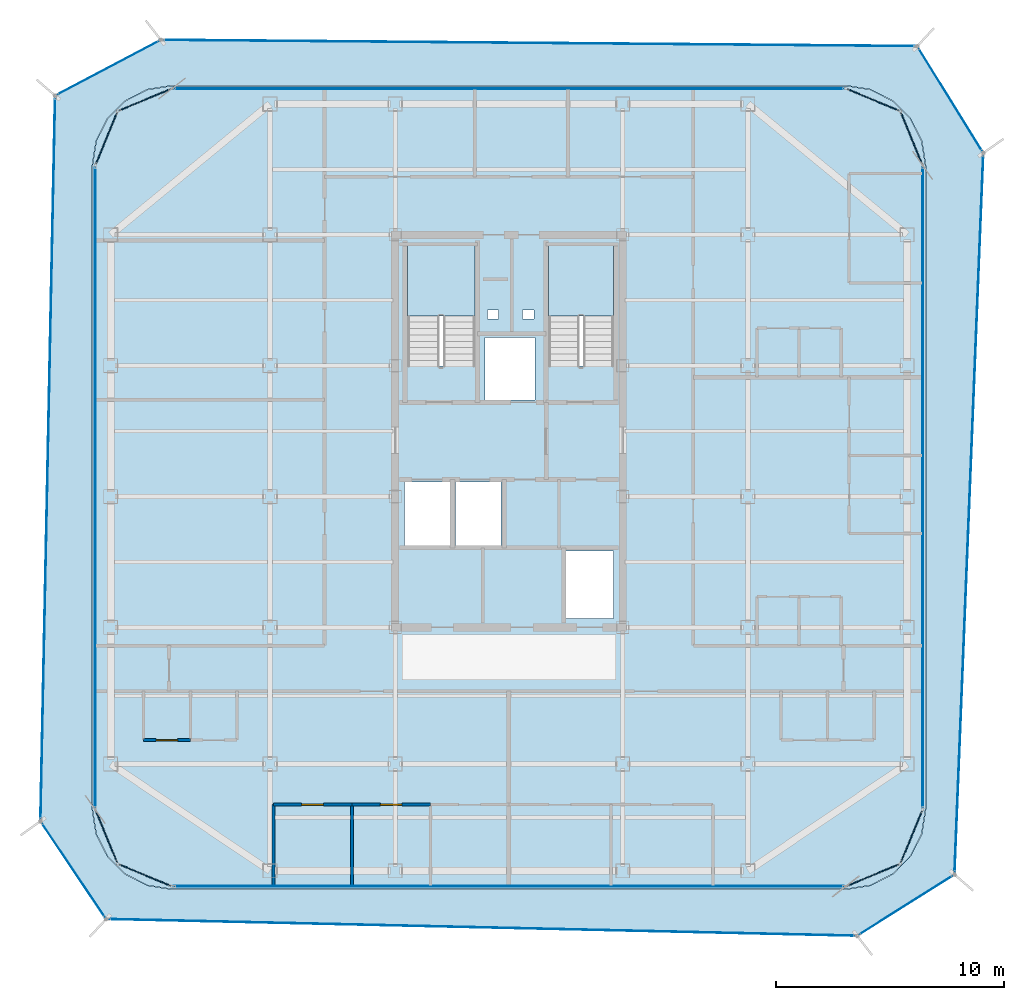
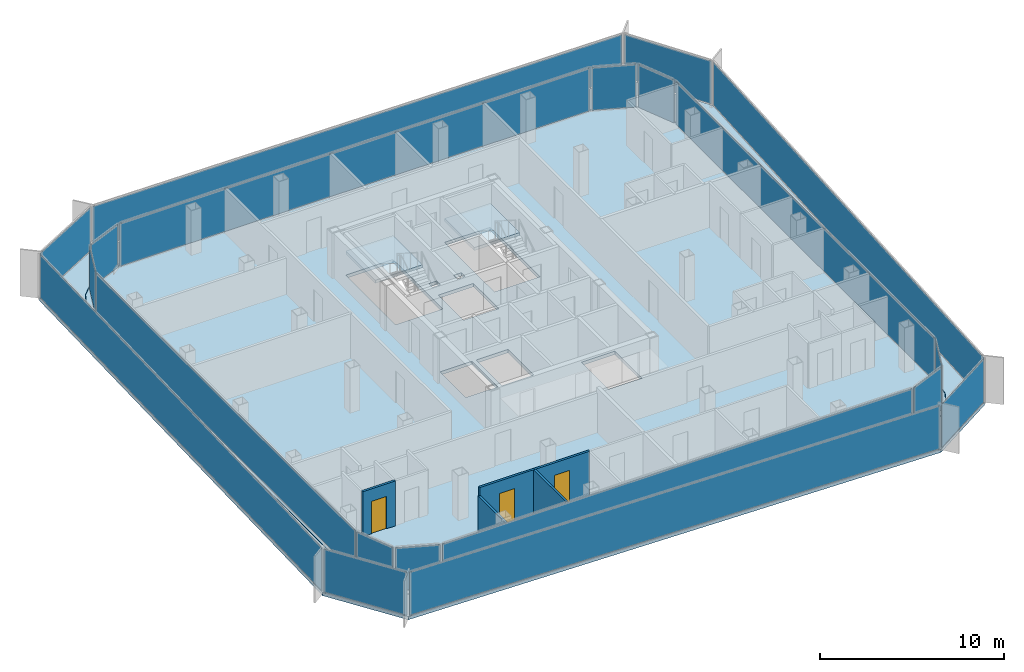
# One storey, part 9 of 15: 20 plates, 5 walls, 4 slabs, 3 doors, 3 openings, 22 elements without a shape of their own.
"""IFC4 building model written with IfcOpenShell, lengths in metres."""

from ifc_helpers import new_model, si_unit, direction, frame, frame_2d, origin, origin_2d, place, context, subcontext, project, spatial, polyline, rectangle, outline, extrude, source, transform, mapped, material, layer, layer_set, type_object, element, fill, aggregate, save


model = new_model("IFC4")

# Units and contexts
model_context = context("Model", 3, precision=1e-05, world=origin(), true_north=direction((0.0, 1.0)))
body_context = subcontext(model_context, "Body", "Model", "MODEL_VIEW")
ifc_project = project(units=[si_unit("LENGTHUNIT", "METRE"), si_unit("AREAUNIT", "SQUARE_METRE"), si_unit("VOLUMEUNIT", "CUBIC_METRE"), si_unit("PLANEANGLEUNIT", "RADIAN"), si_unit("MASSUNIT", "GRAM", prefix="KILO")], contexts=[model_context])

# Site, building, storey
site_placement = place(None, origin())
site = spatial("IfcSite", under=ifc_project, at=site_placement, CompositionType="ELEMENT")
building_placement = place(site_placement, origin())
building = spatial("IfcBuilding", under=site, at=building_placement, Name="Kolveth Station Tower", CompositionType="ELEMENT")
storey_placement = place(building_placement, frame((0.0, 0.0, 239.300048828125)))
storey = spatial("IfcBuildingStorey", under=building, at=storey_placement, Name="L68", CompositionType="ELEMENT", Elevation=239.300048828125)

# Slab
ifc_material_1 = material(Name="Concrete C40/50", Category="concrete")
ifc_layer_1 = layer(ifc_material_1, 0.219970703125)
ifc_layer_set_1 = layer_set([ifc_layer_1], Name="Concrete C40/50")
slab_type_1 = type_object("IfcSlabType", Name="Slab_SF-220", PredefinedType="FLOOR", material=ifc_layer_set_1)
slab_1_placement = place(storey_placement, frame((0.0, 0.0, -0.219970703125)))
element("IfcSlab", 1, at=slab_1_placement, inside=storey, type_object=slab_type_1, Name="L68 Tower Structural Floor Slab", PredefinedType="FLOOR", context=body_context, shape_type="SweptSolid", body=[
    extrude(outline(polyline([(38.300048828125, 0.0), (39.381591796875, 0.17138671875), (40.357177734375, 0.66845703125), (41.131591796875, 1.44287109375), (41.628662109375, 2.41845703125), (41.800048828125, 3.5), (41.800048828125, 31.800048828125), (41.628662109375, 32.881591796875), (41.131591796875, 33.857177734375), (40.357177734375, 34.631591796875), (39.381591796875, 35.128662109375), (38.300048828125, 35.300048828125), (8.699951171875, 35.300048828125), (7.618408203125, 35.128662109375), (6.642822265625, 34.631591796875), (5.868408203125, 33.857177734375), (5.371337890625, 32.881591796875), (5.199951171875, 31.800048828125), (5.199951171875, 3.5), (5.371337890625, 2.41845703125), (5.868408203125, 1.44287109375), (6.642822265625, 0.66845703125), (7.618408203125, 0.17138671875), (8.699951171875, 0.0), (38.300048828125, 0.0)]), holes=[polyline([(19.0400390625, 22.985107421875), (22.0, 22.985107421875), (22.0, 28.39990234375), (19.0400390625, 28.39990234375), (19.0400390625, 22.985107421875)]), polyline([(25.239990234375, 22.985107421875), (28.10009765625, 22.985107421875), (28.10009765625, 28.39990234375), (25.239990234375, 28.39990234375), (25.239990234375, 22.985107421875)]), polyline([(18.89990234375, 15.10009765625), (20.89990234375, 15.10009765625), (20.89990234375, 17.89990234375), (18.89990234375, 17.89990234375), (18.89990234375, 15.10009765625)]), polyline([(21.14990234375, 15.10009765625), (23.14990234375, 15.10009765625), (23.14990234375, 17.89990234375), (21.14990234375, 17.89990234375), (21.14990234375, 15.10009765625)]), polyline([(22.449951171875, 21.5), (24.64990234375, 21.5), (24.64990234375, 24.25), (22.449951171875, 24.25), (22.449951171875, 21.5)]), polyline([(26.0, 11.89990234375), (28.10009765625, 11.89990234375), (28.10009765625, 14.85009765625), (26.0, 14.85009765625), (26.0, 11.89990234375)]), polyline([(22.550048828125, 25.050048828125), (23.050048828125, 25.050048828125), (23.050048828125, 25.449951171875), (22.550048828125, 25.449951171875), (22.550048828125, 25.050048828125)]), polyline([(24.10009765625, 25.050048828125), (24.60009765625, 25.050048828125), (24.60009765625, 25.449951171875), (24.10009765625, 25.449951171875), (24.10009765625, 25.050048828125)])]), origin(), (0.0, 0.0, 1.0), 0.219970703125),
])

# Stair, slab
stair_type_1 = type_object("IfcStairType", Name="Stair_ST2", PredefinedType="HALF_TURN_STAIR", material=ifc_material_1)
stair_1_placement = place(storey_placement, origin())
stair_1 = element("IfcStair", 2, at=stair_1_placement, inside=storey, type_object=stair_type_1, Name="L68 Tower Exit Stair ST2", PredefinedType="HALF_TURN_STAIR")
ifc_layer_2 = layer(ifc_material_1, 0.18994140625)
ifc_layer_set_2 = layer_set([ifc_layer_2], Name="Concrete C40/50")
slab_type_2 = type_object("IfcSlabType", Name="Slab_SL-190", PredefinedType="LANDING", material=ifc_layer_set_2)
slab_2_placement = place(storey_placement, frame((0.0, 0.0, 1.39990234375)))
slab_2 = element("IfcSlab", 3, at=slab_2_placement, type_object=slab_type_2, Name="ST2 landing 1", PredefinedType="LANDING", context=body_context, shape_type="SweptSolid", body=[
    extrude(outline(polyline([(28.10009765625, 25.18994140625), (28.10009765625, 28.39990234375), (25.239990234375, 28.39990234375), (25.239990234375, 25.18994140625), (28.10009765625, 25.18994140625)])), origin(), (0.0, 0.0, 1.0), 0.199951171875),
])
aggregate(stair_1, [slab_2])

stair_type_2 = type_object("IfcStairType", Name="Stair_ST1", PredefinedType="HALF_TURN_STAIR", material=ifc_material_1)
stair_2_placement = place(storey_placement, origin())
stair_2 = element("IfcStair", 4, at=stair_2_placement, inside=storey, type_object=stair_type_2, Name="L68 Tower Exit Stair ST1", PredefinedType="HALF_TURN_STAIR")
ifc_layer_3 = layer(ifc_material_1, 0.205078125)
ifc_layer_set_3 = layer_set([ifc_layer_3], Name="Concrete C40/50")
slab_type_3 = type_object("IfcSlabType", Name="Slab_SL-205", PredefinedType="LANDING", material=ifc_layer_set_3)
slab_3_placement = place(storey_placement, frame((0.0, 0.0, 1.39990234375)))
slab_3 = element("IfcSlab", 5, at=slab_3_placement, type_object=slab_type_3, Name="ST1 landing 1", PredefinedType="LANDING", context=body_context, shape_type="SweptSolid", body=[
    extrude(outline(polyline([(22.0, 25.18994140625), (22.0, 28.39990234375), (19.0400390625, 28.39990234375), (19.0400390625, 25.18994140625), (22.0, 25.18994140625)])), origin(), (0.0, 0.0, 1.0), 0.199951171875),
])
aggregate(stair_2, [slab_3])

# Slab
ifc_layer_4 = layer(ifc_material_1, 0.2099609375)
ifc_layer_set_4 = layer_set([ifc_layer_4], Name="Concrete C40/50")
slab_type_4 = type_object("IfcSlabType", Name="Slab_ST-210", PredefinedType="FLOOR", material=ifc_layer_set_4)
slab_4_placement = place(storey_placement, frame((0.0, 0.0, -0.2099609375)))
element("IfcSlab", 6, at=slab_4_placement, inside=storey, type_object=slab_type_4, Name="L68 Double-Skin Cavity Structural Ledger Ring", PredefinedType="FLOOR", context=body_context, shape_type="SweptSolid", body=[
    extrude(outline(polyline([(5.802734375, -1.3154296875), (2.916748046875, 2.986572265625), (3.560791015625, 34.864501953125), (8.205322265625, 37.314208984375), (41.43994140625, 37.039794921875), (44.34814453125, 32.34619140625), (43.079345703125, 0.6416015625), (38.79931640625, -2.052001953125), (5.802734375, -1.3154296875)]), holes=[polyline([(38.30224609375, -0.014892578125), (39.3837890625, 0.156494140625), (39.388427734375, 0.157958984375), (40.364013671875, 0.655029296875), (40.367919921875, 0.65771484375), (41.14208984375, 1.43212890625), (41.14501953125, 1.43603515625), (41.64208984375, 2.41162109375), (41.6435546875, 2.416015625), (41.814697265625, 3.497802734375), (41.81494140625, 3.5), (41.81494140625, 31.800048828125), (41.814697265625, 31.80224609375), (41.6435546875, 32.8837890625), (41.64208984375, 32.888427734375), (41.14501953125, 33.864013671875), (41.14208984375, 33.867919921875), (40.367919921875, 34.64208984375), (40.364013671875, 34.64501953125), (39.388427734375, 35.14208984375), (39.3837890625, 35.1435546875), (38.30224609375, 35.314697265625), (38.300048828125, 35.31494140625), (8.699951171875, 35.31494140625), (8.69775390625, 35.314697265625), (7.6162109375, 35.1435546875), (7.611572265625, 35.14208984375), (6.635986328125, 34.64501953125), (6.632080078125, 34.64208984375), (5.85791015625, 33.867919921875), (5.85498046875, 33.864013671875), (5.35791015625, 32.888427734375), (5.3564453125, 32.8837890625), (5.185302734375, 31.80224609375), (5.18505859375, 31.800048828125), (5.18505859375, 3.5), (5.185302734375, 3.497802734375), (5.3564453125, 2.416015625), (5.35791015625, 2.41162109375), (5.85498046875, 1.43603515625), (5.85791015625, 1.43212890625), (6.632080078125, 0.65771484375), (6.635986328125, 0.655029296875), (7.611572265625, 0.157958984375), (7.6162109375, 0.156494140625), (8.69775390625, -0.014892578125), (8.699951171875, -0.014892578125), (38.300048828125, -0.014892578125), (38.30224609375, -0.014892578125)])]), origin(), (0.0, 0.0, 1.0), 0.2099609375),
])

# Curtain wall, plate
ifc_material_2 = material(Name="Aluminium 6063-T6 and triple low-E dark glass", Category="aluminium")
ifc_layer_5 = layer(ifc_material_2, 0.199951171875)
ifc_layer_set_5 = layer_set([ifc_layer_5], Name="Aluminium 6063-T6 and triple low-E dark glass")
curtain_wall_type_1 = type_object("IfcCurtainWallType", Name="CurtainWall_CW-Z3", PredefinedType="NOTDEFINED", material=ifc_layer_set_5)
curtain_wall_1_placement = place(storey_placement, origin())
curtain_wall_1 = element("IfcCurtainWall", 7, at=curtain_wall_1_placement, inside=storey, type_object=curtain_wall_type_1, Name="L68 Inner Thermal Curtain Wall 1", PredefinedType="NOTDEFINED")
ifc_material_3 = material(Name="Architectural low-E dark glass", Category="glass")
ifc_layer_6 = layer(ifc_material_3, 0.0419921875)
ifc_layer_set_6 = layer_set([ifc_layer_6], Name="Architectural low-E dark glass")
plate_type_1 = type_object("IfcPlateType", Name="Panel_GL3", PredefinedType="CURTAIN_PANEL", material=ifc_layer_set_6)
shared_shape_1 = source(origin(), body_context, "Body", "SweptSolid", [
    extrude(rectangle(XDim=2.430908203125, YDim=0.0419921875, at=origin_2d()), origin(), (0.0, 0.0, 1.0), 2.823974609375),
])
plate_1_placement = place(storey_placement, frame((39.4951171875, 0.614990234375, 0.078125), z_axis=(0.0, 0.0, 1.0), x_axis=(0.923875488975, 0.382693194181, 0.0)))
plate_1 = element("IfcPlate", 8, at=plate_1_placement, type_object=plate_type_1, Name="CW-Z3 panel 1.1", PredefinedType="CURTAIN_PANEL", context=body_context, shape_type="MappedRepresentation", body=[
    mapped(shared_shape_1, transform((0.0, 0.0, 0.0), x_axis=(1.0, 0.0, 0.0), y_axis=(0.0, 1.0, 0.0), z_axis=(0.0, 0.0, 1.0), scale=1.0)),
])
aggregate(curtain_wall_1, [plate_1])

curtain_wall_2_placement = place(storey_placement, origin())
curtain_wall_2 = element("IfcCurtainWall", 9, at=curtain_wall_2_placement, inside=storey, type_object=curtain_wall_type_1, Name="L68 Inner Thermal Curtain Wall 2", PredefinedType="NOTDEFINED")
plate_2_placement = place(storey_placement, frame((41.18505859375, 2.304931640625, 0.078125), z_axis=(0.0, 0.0, 1.0), x_axis=(0.382693194181, 0.923875488975, 0.0)))
plate_2 = element("IfcPlate", 10, at=plate_2_placement, type_object=plate_type_1, Name="CW-Z3 panel 1.1", PredefinedType="CURTAIN_PANEL", context=body_context, shape_type="MappedRepresentation", body=[
    mapped(shared_shape_1, transform((0.0, 0.0, 0.0), x_axis=(1.0, 0.0, 0.0), y_axis=(0.0, 1.0, 0.0), z_axis=(0.0, 0.0, 1.0), scale=1.0)),
])
aggregate(curtain_wall_2, [plate_2])

curtain_wall_3_placement = place(storey_placement, origin())
curtain_wall_3 = element("IfcCurtainWall", 11, at=curtain_wall_3_placement, inside=storey, type_object=curtain_wall_type_1, Name="L68 Inner Thermal Curtain Wall 4", PredefinedType="NOTDEFINED")
plate_3_placement = place(storey_placement, frame((41.18505859375, 32.9951171875, 0.078125), z_axis=(0.0, 0.0, 1.0), x_axis=(-0.382693194181, 0.923875488975, 0.0)))
plate_3 = element("IfcPlate", 12, at=plate_3_placement, type_object=plate_type_1, Name="CW-Z3 panel 1.1", PredefinedType="CURTAIN_PANEL", context=body_context, shape_type="MappedRepresentation", body=[
    mapped(shared_shape_1, transform((0.0, 0.0, 0.0), x_axis=(1.0, 0.0, 0.0), y_axis=(0.0, 1.0, 0.0), z_axis=(0.0, 0.0, 1.0), scale=1.0)),
])
aggregate(curtain_wall_3, [plate_3])

curtain_wall_4_placement = place(storey_placement, origin())
curtain_wall_4 = element("IfcCurtainWall", 13, at=curtain_wall_4_placement, inside=storey, type_object=curtain_wall_type_1, Name="L68 Inner Thermal Curtain Wall 5", PredefinedType="NOTDEFINED")
plate_4_placement = place(storey_placement, frame((39.4951171875, 34.68505859375, 0.078125), z_axis=(0.0, 0.0, 1.0), x_axis=(-0.923875488975, 0.382693194181, 0.0)))
plate_4 = element("IfcPlate", 14, at=plate_4_placement, type_object=plate_type_1, Name="CW-Z3 panel 1.1", PredefinedType="CURTAIN_PANEL", context=body_context, shape_type="MappedRepresentation", body=[
    mapped(shared_shape_1, transform((0.0, 0.0, 0.0), x_axis=(1.0, 0.0, 0.0), y_axis=(0.0, 1.0, 0.0), z_axis=(0.0, 0.0, 1.0), scale=1.0)),
])
aggregate(curtain_wall_4, [plate_4])

curtain_wall_5_placement = place(storey_placement, origin())
curtain_wall_5 = element("IfcCurtainWall", 15, at=curtain_wall_5_placement, inside=storey, type_object=curtain_wall_type_1, Name="L68 Inner Thermal Curtain Wall 7", PredefinedType="NOTDEFINED")
plate_5_placement = place(storey_placement, frame((7.5048828125, 34.68505859375, 0.078125), z_axis=(0.0, 0.0, 1.0), x_axis=(-0.923875488975, -0.382693194181, 0.0)))
plate_5 = element("IfcPlate", 16, at=plate_5_placement, type_object=plate_type_1, Name="CW-Z3 panel 1.1", PredefinedType="CURTAIN_PANEL", context=body_context, shape_type="MappedRepresentation", body=[
    mapped(shared_shape_1, transform((0.0, 0.0, 0.0), x_axis=(1.0, 0.0, 0.0), y_axis=(0.0, 1.0, 0.0), z_axis=(0.0, 0.0, 1.0), scale=1.0)),
])
aggregate(curtain_wall_5, [plate_5])

curtain_wall_6_placement = place(storey_placement, origin())
curtain_wall_6 = element("IfcCurtainWall", 17, at=curtain_wall_6_placement, inside=storey, type_object=curtain_wall_type_1, Name="L68 Inner Thermal Curtain Wall 8", PredefinedType="NOTDEFINED")
plate_6_placement = place(storey_placement, frame((5.81494140625, 32.9951171875, 0.078125), z_axis=(0.0, 0.0, 1.0), x_axis=(-0.382693194181, -0.923875488975, 0.0)))
plate_6 = element("IfcPlate", 18, at=plate_6_placement, type_object=plate_type_1, Name="CW-Z3 panel 1.1", PredefinedType="CURTAIN_PANEL", context=body_context, shape_type="MappedRepresentation", body=[
    mapped(shared_shape_1, transform((0.0, 0.0, 0.0), x_axis=(1.0, 0.0, 0.0), y_axis=(0.0, 1.0, 0.0), z_axis=(0.0, 0.0, 1.0), scale=1.0)),
])
aggregate(curtain_wall_6, [plate_6])

curtain_wall_7_placement = place(storey_placement, origin())
curtain_wall_7 = element("IfcCurtainWall", 19, at=curtain_wall_7_placement, inside=storey, type_object=curtain_wall_type_1, Name="L68 Inner Thermal Curtain Wall 10", PredefinedType="NOTDEFINED")
plate_7_placement = place(storey_placement, frame((5.81494140625, 2.304931640625, 0.078125), z_axis=(0.0, 0.0, 1.0), x_axis=(0.382693194181, -0.923875488975, 0.0)))
plate_7 = element("IfcPlate", 20, at=plate_7_placement, type_object=plate_type_1, Name="CW-Z3 panel 1.1", PredefinedType="CURTAIN_PANEL", context=body_context, shape_type="MappedRepresentation", body=[
    mapped(shared_shape_1, transform((0.0, 0.0, 0.0), x_axis=(1.0, 0.0, 0.0), y_axis=(0.0, 1.0, 0.0), z_axis=(0.0, 0.0, 1.0), scale=1.0)),
])
aggregate(curtain_wall_7, [plate_7])

curtain_wall_8_placement = place(storey_placement, origin())
curtain_wall_8 = element("IfcCurtainWall", 21, at=curtain_wall_8_placement, inside=storey, type_object=curtain_wall_type_1, Name="L68 Inner Thermal Curtain Wall 11", PredefinedType="NOTDEFINED")
plate_8_placement = place(storey_placement, frame((7.5048828125, 0.614990234375, 0.078125), z_axis=(0.0, 0.0, 1.0), x_axis=(0.923875488975, -0.382693194181, 0.0)))
plate_8 = element("IfcPlate", 22, at=plate_8_placement, type_object=plate_type_1, Name="CW-Z3 panel 1.1", PredefinedType="CURTAIN_PANEL", context=body_context, shape_type="MappedRepresentation", body=[
    mapped(shared_shape_1, transform((0.0, 0.0, 0.0), x_axis=(1.0, 0.0, 0.0), y_axis=(0.0, 1.0, 0.0), z_axis=(0.0, 0.0, 1.0), scale=1.0)),
])
aggregate(curtain_wall_8, [plate_8])

curtain_wall_9_placement = place(storey_placement, origin())
curtain_wall_9 = element("IfcCurtainWall", 23, at=curtain_wall_9_placement, inside=storey, type_object=curtain_wall_type_1, Name="L68 Inner Thermal Curtain Wall 3", PredefinedType="NOTDEFINED")
shared_shape_2 = source(origin(), body_context, "Body", "SweptSolid", [
    extrude(rectangle(XDim=28.14404296875, YDim=0.0419921875, at=origin_2d()), origin(), (0.0, 0.0, 1.0), 2.823974609375),
])
plate_9_placement = place(storey_placement, frame((41.679931640625, 17.64990234375, 0.078125), z_axis=(0.0, 0.0, 1.0), x_axis=(0.0, 1.0, 0.0)))
plate_9 = element("IfcPlate", 24, at=plate_9_placement, type_object=plate_type_1, Name="CW-Z3 panel 1.1", PredefinedType="CURTAIN_PANEL", context=body_context, shape_type="MappedRepresentation", body=[
    mapped(shared_shape_2, transform((0.0, 0.0, 0.0), x_axis=(1.0, 0.0, 0.0), y_axis=(0.0, 1.0, 0.0), z_axis=(0.0, 0.0, 1.0), scale=1.0)),
])
aggregate(curtain_wall_9, [plate_9])

curtain_wall_10_placement = place(storey_placement, origin())
curtain_wall_10 = element("IfcCurtainWall", 25, at=curtain_wall_10_placement, inside=storey, type_object=curtain_wall_type_1, Name="L68 Inner Thermal Curtain Wall 9", PredefinedType="NOTDEFINED")
plate_10_placement = place(storey_placement, frame((5.320068359375, 17.64990234375, 0.078125), z_axis=(0.0, 0.0, 1.0), x_axis=(0.0, -1.0, 0.0)))
plate_10 = element("IfcPlate", 26, at=plate_10_placement, type_object=plate_type_1, Name="CW-Z3 panel 1.1", PredefinedType="CURTAIN_PANEL", context=body_context, shape_type="MappedRepresentation", body=[
    mapped(shared_shape_2, transform((0.0, 0.0, 0.0), x_axis=(1.0, 0.0, 0.0), y_axis=(0.0, 1.0, 0.0), z_axis=(0.0, 0.0, 1.0), scale=1.0)),
])
aggregate(curtain_wall_10, [plate_10])

curtain_wall_11_placement = place(storey_placement, origin())
curtain_wall_11 = element("IfcCurtainWall", 27, at=curtain_wall_11_placement, inside=storey, type_object=curtain_wall_type_1, Name="L68 Inner Thermal Curtain Wall 6", PredefinedType="NOTDEFINED")
shared_shape_3 = source(origin(), body_context, "Body", "SweptSolid", [
    extrude(rectangle(XDim=29.444091796875, YDim=0.0419921875, at=origin_2d()), origin(), (0.0, 0.0, 1.0), 2.823974609375),
])
plate_11_placement = place(storey_placement, frame((23.5, 35.179931640625, 0.078125), z_axis=(0.0, 0.0, 1.0), x_axis=(-1.0, 0.0, 0.0)))
plate_11 = element("IfcPlate", 28, at=plate_11_placement, type_object=plate_type_1, Name="CW-Z3 panel 1.1", PredefinedType="CURTAIN_PANEL", context=body_context, shape_type="MappedRepresentation", body=[
    mapped(shared_shape_3, transform((0.0, 0.0, 0.0), x_axis=(1.0, 0.0, 0.0), y_axis=(0.0, 1.0, 0.0), z_axis=(0.0, 0.0, 1.0), scale=1.0)),
])
aggregate(curtain_wall_11, [plate_11])

curtain_wall_12_placement = place(storey_placement, origin())
curtain_wall_12 = element("IfcCurtainWall", 29, at=curtain_wall_12_placement, inside=storey, type_object=curtain_wall_type_1, Name="L68 Inner Thermal Curtain Wall 12", PredefinedType="NOTDEFINED")
plate_12_placement = place(storey_placement, frame((23.5, 0.1201171875, 0.078125), z_axis=(0.0, 0.0, 1.0), x_axis=(1.0, 0.0, 0.0)))
plate_12 = element("IfcPlate", 30, at=plate_12_placement, type_object=plate_type_1, Name="CW-Z3 panel 1.1", PredefinedType="CURTAIN_PANEL", context=body_context, shape_type="MappedRepresentation", body=[
    mapped(shared_shape_3, transform((0.0, 0.0, 0.0), x_axis=(1.0, 0.0, 0.0), y_axis=(0.0, 1.0, 0.0), z_axis=(0.0, 0.0, 1.0), scale=1.0)),
])
aggregate(curtain_wall_12, [plate_12])

ifc_material_4 = material(Name="Black anodized aluminium 6063-T6 and dark solar glass", Category="aluminium")
ifc_layer_7 = layer(ifc_material_4, 0.159912109375)
ifc_layer_set_7 = layer_set([ifc_layer_7], Name="Black anodized aluminium 6063-T6 and dark solar glass")
curtain_wall_type_2 = type_object("IfcCurtainWallType", Name="OUTER SKIN CW-OS", PredefinedType="NOTDEFINED", material=ifc_layer_set_7)
curtain_wall_13_placement = place(storey_placement, origin())
curtain_wall_13 = element("IfcCurtainWall", 31, at=curtain_wall_13_placement, inside=storey, type_object=curtain_wall_type_2, Name="L68 Outer Ventilated Skin Curtain Wall 1", PredefinedType="NOTDEFINED")
ifc_layer_8 = layer(ifc_material_3, 0.028076171875)
ifc_layer_set_8 = layer_set([ifc_layer_8], Name="Architectural low-E dark glass")
plate_type_2 = type_object("IfcPlateType", Name="Panel_GL-OS", PredefinedType="CURTAIN_PANEL", material=ifc_layer_set_8)
shared_shape_4 = source(origin(), body_context, "Body", "SweptSolid", [
    extrude(rectangle(XDim=4.89111328125, YDim=0.028076171875, at=origin_2d()), origin(), (0.0, 0.0, 1.0), 2.843994140625),
])
plate_13_placement = place(storey_placement, frame((40.939453125, -0.705078125, 0.07275390625), z_axis=(0.0, 0.0, 1.0), x_axis=(0.846341134631, 0.532641233695, 0.0)))
plate_13 = element("IfcPlate", 32, at=plate_13_placement, type_object=plate_type_2, Name="CW-OS panel 1.1", PredefinedType="CURTAIN_PANEL", context=body_context, shape_type="MappedRepresentation", body=[
    mapped(shared_shape_4, transform((0.0, 0.0, 0.0), x_axis=(1.0, 0.0, 0.0), y_axis=(0.0, 1.0, 0.0), z_axis=(0.0, 0.0, 1.0), scale=1.0)),
])
aggregate(curtain_wall_13, [plate_13])

curtain_wall_14_placement = place(storey_placement, origin())
curtain_wall_14 = element("IfcCurtainWall", 33, at=curtain_wall_14_placement, inside=storey, type_object=curtain_wall_type_2, Name="L68 Outer Ventilated Skin Curtain Wall 2", PredefinedType="NOTDEFINED")
shared_shape_5 = source(origin(), body_context, "Body", "SweptSolid", [
    extrude(rectangle(XDim=31.564208984375, YDim=0.028076171875, at=origin_2d()), origin(), (0.0, 0.0, 1.0), 2.843994140625),
])
plate_14_placement = place(storey_placement, frame((43.7138671875, 16.493896484375, 0.07275390625), z_axis=(0.0, 0.0, 1.0), x_axis=(0.039987295223, 0.999200188261, 0.0)))
plate_14 = element("IfcPlate", 34, at=plate_14_placement, type_object=plate_type_2, Name="CW-OS panel 1.1", PredefinedType="CURTAIN_PANEL", context=body_context, shape_type="MappedRepresentation", body=[
    mapped(shared_shape_5, transform((0.0, 0.0, 0.0), x_axis=(1.0, 0.0, 0.0), y_axis=(0.0, 1.0, 0.0), z_axis=(0.0, 0.0, 1.0), scale=1.0)),
])
aggregate(curtain_wall_14, [plate_14])

curtain_wall_15_placement = place(storey_placement, origin())
curtain_wall_15 = element("IfcCurtainWall", 35, at=curtain_wall_15_placement, inside=storey, type_object=curtain_wall_type_2, Name="L68 Outer Ventilated Skin Curtain Wall 3", PredefinedType="NOTDEFINED")
shared_shape_6 = source(origin(), body_context, "Body", "SweptSolid", [
    extrude(rectangle(XDim=5.35546875, YDim=0.028076171875, at=origin_2d()), origin(), (0.0, 0.0, 1.0), 2.843994140625),
])
plate_15_placement = place(storey_placement, frame((42.89404296875, 34.693115234375, 0.07275390625), z_axis=(0.0, 0.0, 1.0), x_axis=(-0.526716201506, 0.850041200808, 0.0)))
plate_15 = element("IfcPlate", 36, at=plate_15_placement, type_object=plate_type_2, Name="CW-OS panel 1.1", PredefinedType="CURTAIN_PANEL", context=body_context, shape_type="MappedRepresentation", body=[
    mapped(shared_shape_6, transform((0.0, 0.0, 0.0), x_axis=(1.0, 0.0, 0.0), y_axis=(0.0, 1.0, 0.0), z_axis=(0.0, 0.0, 1.0), scale=1.0)),
])
aggregate(curtain_wall_15, [plate_15])

curtain_wall_16_placement = place(storey_placement, origin())
curtain_wall_16 = element("IfcCurtainWall", 37, at=curtain_wall_16_placement, inside=storey, type_object=curtain_wall_type_2, Name="L68 Outer Ventilated Skin Curtain Wall 4", PredefinedType="NOTDEFINED")
shared_shape_7 = source(origin(), body_context, "Body", "SweptSolid", [
    extrude(rectangle(XDim=33.06982421875, YDim=0.028076171875, at=origin_2d()), origin(), (0.0, 0.0, 1.0), 2.843994140625),
])
plate_16_placement = place(storey_placement, frame((24.82275390625, 37.177001953125, 0.07275390625), z_axis=(0.0, 0.0, 1.0), x_axis=(-0.999965867719, 0.008262166568, 0.0)))
plate_16 = element("IfcPlate", 38, at=plate_16_placement, type_object=plate_type_2, Name="CW-OS panel 1.1", PredefinedType="CURTAIN_PANEL", context=body_context, shape_type="MappedRepresentation", body=[
    mapped(shared_shape_7, transform((0.0, 0.0, 0.0), x_axis=(1.0, 0.0, 0.0), y_axis=(0.0, 1.0, 0.0), z_axis=(0.0, 0.0, 1.0), scale=1.0)),
])
aggregate(curtain_wall_16, [plate_16])

curtain_wall_17_placement = place(storey_placement, origin())
curtain_wall_17 = element("IfcCurtainWall", 39, at=curtain_wall_17_placement, inside=storey, type_object=curtain_wall_type_2, Name="L68 Outer Ventilated Skin Curtain Wall 5", PredefinedType="NOTDEFINED")
shared_shape_8 = source(origin(), body_context, "Body", "SweptSolid", [
    extrude(rectangle(XDim=5.0849609375, YDim=0.028076171875, at=origin_2d()), origin(), (0.0, 0.0, 1.0), 2.843994140625),
])
plate_17_placement = place(storey_placement, frame((5.883056640625, 36.08935546875, 0.07275390625), z_axis=(0.0, 0.0, 1.0), x_axis=(-0.884507664693, -0.466525659637, 0.0)))
plate_17 = element("IfcPlate", 40, at=plate_17_placement, type_object=plate_type_2, Name="CW-OS panel 1.1", PredefinedType="CURTAIN_PANEL", context=body_context, shape_type="MappedRepresentation", body=[
    mapped(shared_shape_8, transform((0.0, 0.0, 0.0), x_axis=(1.0, 0.0, 0.0), y_axis=(0.0, 1.0, 0.0), z_axis=(0.0, 0.0, 1.0), scale=1.0)),
])
aggregate(curtain_wall_17, [plate_17])

curtain_wall_18_placement = place(storey_placement, origin())
curtain_wall_18 = element("IfcCurtainWall", 41, at=curtain_wall_18_placement, inside=storey, type_object=curtain_wall_type_2, Name="L68 Outer Ventilated Skin Curtain Wall 6", PredefinedType="NOTDEFINED")
shared_shape_9 = source(origin(), body_context, "Body", "SweptSolid", [
    extrude(rectangle(XDim=31.718505859375, YDim=0.028076171875, at=origin_2d()), origin(), (0.0, 0.0, 1.0), 2.843994140625),
])
plate_18_placement = place(storey_placement, frame((3.23876953125, 18.925537109375, 0.07275390625), z_axis=(0.0, 0.0, 1.0), x_axis=(-0.020197899021, -0.99979600163, 0.0)))
plate_18 = element("IfcPlate", 42, at=plate_18_placement, type_object=plate_type_2, Name="CW-OS panel 1.1", PredefinedType="CURTAIN_PANEL", context=body_context, shape_type="MappedRepresentation", body=[
    mapped(shared_shape_9, transform((0.0, 0.0, 0.0), x_axis=(1.0, 0.0, 0.0), y_axis=(0.0, 1.0, 0.0), z_axis=(0.0, 0.0, 1.0), scale=1.0)),
])
aggregate(curtain_wall_18, [plate_18])

curtain_wall_19_placement = place(storey_placement, origin())
curtain_wall_19 = element("IfcCurtainWall", 43, at=curtain_wall_19_placement, inside=storey, type_object=curtain_wall_type_2, Name="L68 Outer Ventilated Skin Curtain Wall 7", PredefinedType="NOTDEFINED")
shared_shape_10 = source(origin(), body_context, "Body", "SweptSolid", [
    extrude(rectangle(XDim=5.014404296875, YDim=0.028076171875, at=origin_2d()), origin(), (0.0, 0.0, 1.0), 2.843994140625),
])
plate_19_placement = place(storey_placement, frame((4.35986328125, 0.83544921875, 0.07275390625), z_axis=(0.0, 0.0, 1.0), x_axis=(0.557081166821, -0.830458050459, 0.0)))
plate_19 = element("IfcPlate", 44, at=plate_19_placement, type_object=plate_type_2, Name="CW-OS panel 1.1", PredefinedType="CURTAIN_PANEL", context=body_context, shape_type="MappedRepresentation", body=[
    mapped(shared_shape_10, transform((0.0, 0.0, 0.0), x_axis=(1.0, 0.0, 0.0), y_axis=(0.0, 1.0, 0.0), z_axis=(0.0, 0.0, 1.0), scale=1.0)),
])
aggregate(curtain_wall_19, [plate_19])

curtain_wall_20_placement = place(storey_placement, origin())
curtain_wall_20 = element("IfcCurtainWall", 45, at=curtain_wall_20_placement, inside=storey, type_object=curtain_wall_type_2, Name="L68 Outer Ventilated Skin Curtain Wall 8", PredefinedType="NOTDEFINED")
shared_shape_11 = source(origin(), body_context, "Body", "SweptSolid", [
    extrude(rectangle(XDim=32.8388671875, YDim=0.028076171875, at=origin_2d()), origin(), (0.0, 0.0, 1.0), 2.843994140625),
])
plate_20_placement = place(storey_placement, frame((22.301025390625, -1.683837890625, 0.07275390625), z_axis=(0.0, 0.0, 1.0), x_axis=(0.999750992601, -0.022314855906, 0.0)))
plate_20 = element("IfcPlate", 46, at=plate_20_placement, type_object=plate_type_2, Name="CW-OS panel 1.1", PredefinedType="CURTAIN_PANEL", context=body_context, shape_type="MappedRepresentation", body=[
    mapped(shared_shape_11, transform((0.0, 0.0, 0.0), x_axis=(1.0, 0.0, 0.0), y_axis=(0.0, 1.0, 0.0), z_axis=(0.0, 0.0, 1.0), scale=1.0)),
])
aggregate(curtain_wall_20, [plate_20])

# Wall, opening, door
ifc_material_5 = material(Name="Moisture-resistant gypsum partition")
ifc_layer_9 = layer(ifc_material_5, 0.135009765625)
ifc_layer_set_9 = layer_set([ifc_layer_9], Name="Moisture-resistant gypsum partition")
wall_type = type_object("IfcWallType", Name="Wall_IW-135", PredefinedType="PARTITIONING", material=ifc_layer_set_9)
wall_1_placement = place(storey_placement, frame((7.449951171875, 6.550048828125, 0.0), z_axis=(0.0, 0.0, 1.0), x_axis=(1.0, 0.0, 0.0)))
wall_1 = element("IfcWall", 47, at=wall_1_placement, inside=storey, type_object=wall_type, Name="L68 Partition Wall WL-L68-A1-IBHK", PredefinedType="PARTITIONING", context=body_context, shape_type="SweptSolid", body=[
    extrude(rectangle(XDim=2.050048828125, YDim=0.135009765625, at=frame_2d((1.02490234375, 0.0))), origin(), (0.0, 0.0, 1.0), 2.97998046875),
])
opening_1_placement = place(wall_1_placement, frame((0.544921875, 0.0, 0.0)))
opening_1 = element("IfcOpeningElement", 48, at=opening_1_placement, cuts=wall_1, Name="Opening ID1", PredefinedType="OPENING", context=body_context, shape_type="SweptSolid", body=[
    extrude(rectangle(XDim=0.949951171875, YDim=2.14990234375, at=frame_2d((0.47509765625, 1.074951171875))), frame((0.0, 0.077392578125, 0.0), z_axis=(0.0, -1.0, 0.0), x_axis=(1.0, 0.0, 0.0)), (0.0, 0.0, 1.0), 0.155029296875),
])
ifc_material_6 = material(Name="Acoustic hardwood leaf and aluminium frame", Category="wood")
door_type = type_object("IfcDoorType", Name="Door_ID1", OperationType="NOTDEFINED", PredefinedType="DOOR", material=ifc_material_6)
door_1_placement = place(opening_1_placement, origin())
door_1 = element("IfcDoor", 49, at=door_1_placement, inside=storey, type_object=door_type, Name="Penthouse Flat L68-A1 Kitchen Door", OperationType="SINGLE_SWING_RIGHT", OverallHeight=2.14990234375, OverallWidth=0.949951171875, PredefinedType="DOOR", context=body_context, shape_type="SweptSolid", body=[
    extrude(rectangle(XDim=0.949951171875, YDim=2.14990234375, at=frame_2d((0.47509765625, 1.074951171875))), frame((0.0, 0.02490234375, 0.0), z_axis=(0.0, -1.0, 0.0), x_axis=(1.0, 0.0, 0.0)), (0.0, 0.0, 1.0), 0.050048828125),
])
fill(opening_1, door_1)

# Wall
wall_2_placement = place(storey_placement, frame((13.14990234375, 0.159912109375, 0.0), z_axis=(0.0, 0.0, 1.0), x_axis=(0.0, 1.0, 0.0)))
element("IfcWall", 50, at=wall_2_placement, inside=storey, type_object=wall_type, Name="L68 Partition Wall WL-L68-A1-BDV0", PredefinedType="PARTITIONING", context=body_context, shape_type="SweptSolid", body=[
    extrude(rectangle(XDim=3.550048828125, YDim=0.135009765625, at=frame_2d((1.77490234375, 0.0))), origin(), (0.0, 0.0, 1.0), 2.427978515625),
])

# Wall, opening, door
wall_3_placement = place(storey_placement, frame((13.14990234375, 3.7099609375, 0.0), z_axis=(0.0, 0.0, 1.0), x_axis=(1.0, 0.0, 0.0)))
wall_3 = element("IfcWall", 51, at=wall_3_placement, inside=storey, type_object=wall_type, Name="L68 Partition Wall WL-L68-A1-BDH1", PredefinedType="PARTITIONING", context=body_context, shape_type="SweptSolid", body=[
    extrude(rectangle(XDim=3.4501953125, YDim=0.135009765625, at=frame_2d((1.72509765625, 0.0))), origin(), (0.0, 0.0, 1.0), 2.97998046875),
])
opening_2_placement = place(wall_3_placement, frame((1.2451171875, 0.0, 0.0)))
opening_2 = element("IfcOpeningElement", 52, at=opening_2_placement, cuts=wall_3, Name="Opening ID1", PredefinedType="OPENING", context=body_context, shape_type="SweptSolid", body=[
    extrude(rectangle(XDim=0.949951171875, YDim=2.14990234375, at=frame_2d((0.47509765625, 1.074951171875))), frame((0.0, 0.077392578125, 0.0), z_axis=(0.0, -1.0, 0.0), x_axis=(1.0, 0.0, 0.0)), (0.0, 0.0, 1.0), 0.155029296875),
])
door_2_placement = place(opening_2_placement, frame((0.949951171875, 0.0, 0.0), z_axis=(0.0, 0.0, 1.0), x_axis=(-1.0, 0.0, 0.0)))
door_2 = element("IfcDoor", 53, at=door_2_placement, inside=storey, type_object=door_type, Name="Penthouse Flat L68-A1 Bedroom 1 Door", OperationType="SINGLE_SWING_RIGHT", OverallHeight=2.14990234375, OverallWidth=0.949951171875, PredefinedType="DOOR", context=body_context, shape_type="SweptSolid", body=[
    extrude(rectangle(XDim=0.949951171875, YDim=2.14990234375, at=frame_2d((0.47509765625, 1.074951171875))), frame((0.0, 0.02490234375, 0.0), z_axis=(0.0, -1.0, 0.0), x_axis=(1.0, 0.0, 0.0)), (0.0, 0.0, 1.0), 0.050048828125),
])
fill(opening_2, door_2)

wall_4_placement = place(storey_placement, frame((16.60009765625, 3.7099609375, 0.0), z_axis=(0.0, 0.0, 1.0), x_axis=(1.0, 0.0, 0.0)))
wall_4 = element("IfcWall", 54, at=wall_4_placement, inside=storey, type_object=wall_type, Name="L68 Partition Wall WL-L68-A1-BDH2", PredefinedType="PARTITIONING", context=body_context, shape_type="SweptSolid", body=[
    extrude(rectangle(XDim=3.449951171875, YDim=0.135009765625, at=frame_2d((1.72509765625, 0.0))), origin(), (0.0, 0.0, 1.0), 2.97998046875),
])
opening_3_placement = place(wall_4_placement, frame((1.2451171875, 0.0, 0.0)))
opening_3 = element("IfcOpeningElement", 55, at=opening_3_placement, cuts=wall_4, Name="Opening ID1", PredefinedType="OPENING", context=body_context, shape_type="SweptSolid", body=[
    extrude(rectangle(XDim=0.949951171875, YDim=2.14990234375, at=frame_2d((0.47509765625, 1.074951171875))), frame((0.0, 0.077392578125, 0.0), z_axis=(0.0, -1.0, 0.0), x_axis=(1.0, 0.0, 0.0)), (0.0, 0.0, 1.0), 0.155029296875),
])
door_3_placement = place(opening_3_placement, frame((0.949951171875, 0.0, 0.0), z_axis=(0.0, 0.0, 1.0), x_axis=(-1.0, 0.0, 0.0)))
door_3 = element("IfcDoor", 56, at=door_3_placement, inside=storey, type_object=door_type, Name="Penthouse Flat L68-A1 Bedroom 2 Door", OperationType="SINGLE_SWING_LEFT", OverallHeight=2.14990234375, OverallWidth=0.949951171875, PredefinedType="DOOR", context=body_context, shape_type="SweptSolid", body=[
    extrude(rectangle(XDim=0.949951171875, YDim=2.14990234375, at=frame_2d((0.47509765625, 1.074951171875))), frame((0.0, 0.02490234375, 0.0), z_axis=(0.0, -1.0, 0.0), x_axis=(1.0, 0.0, 0.0)), (0.0, 0.0, 1.0), 0.050048828125),
])
fill(opening_3, door_3)

# Wall
wall_5_placement = place(storey_placement, frame((16.60009765625, 0.159912109375, 0.0), z_axis=(0.0, 0.0, 1.0), x_axis=(0.0, 1.0, 0.0)))
element("IfcWall", 57, at=wall_5_placement, inside=storey, type_object=wall_type, Name="L68 Partition Wall WL-L68-A1-BDV1", PredefinedType="PARTITIONING", context=body_context, shape_type="SweptSolid", body=[
    extrude(rectangle(XDim=3.550048828125, YDim=0.135009765625, at=frame_2d((1.77490234375, 0.0))), origin(), (0.0, 0.0, 1.0), 2.97998046875),
])

save(model, "model.ifc")
